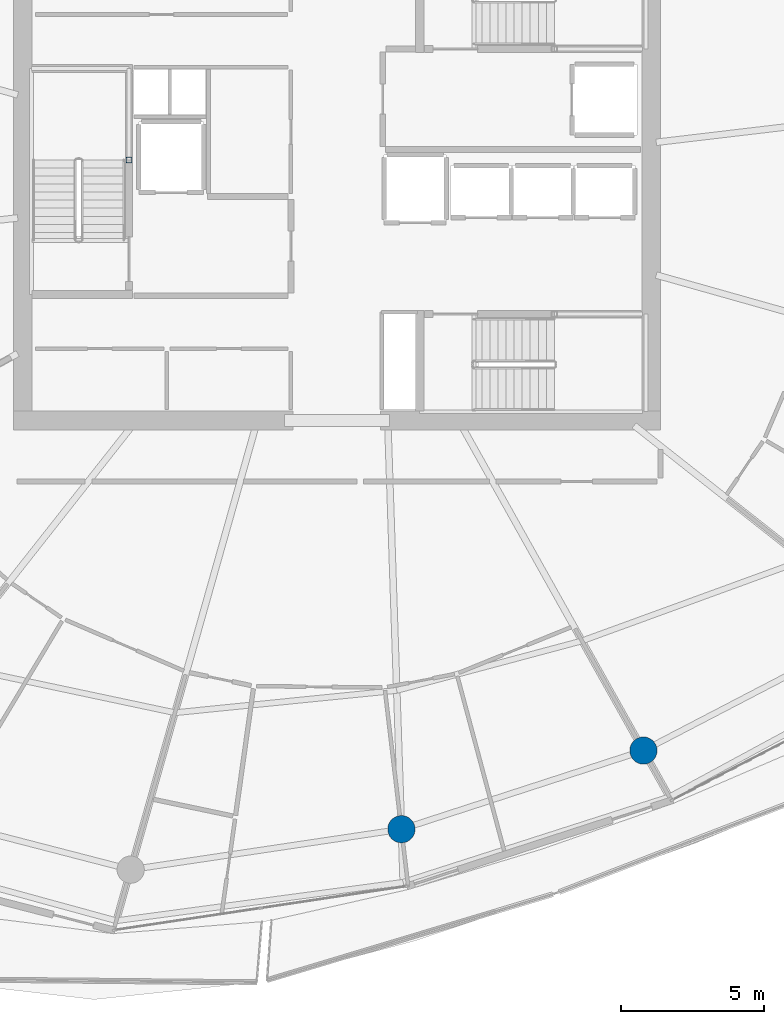
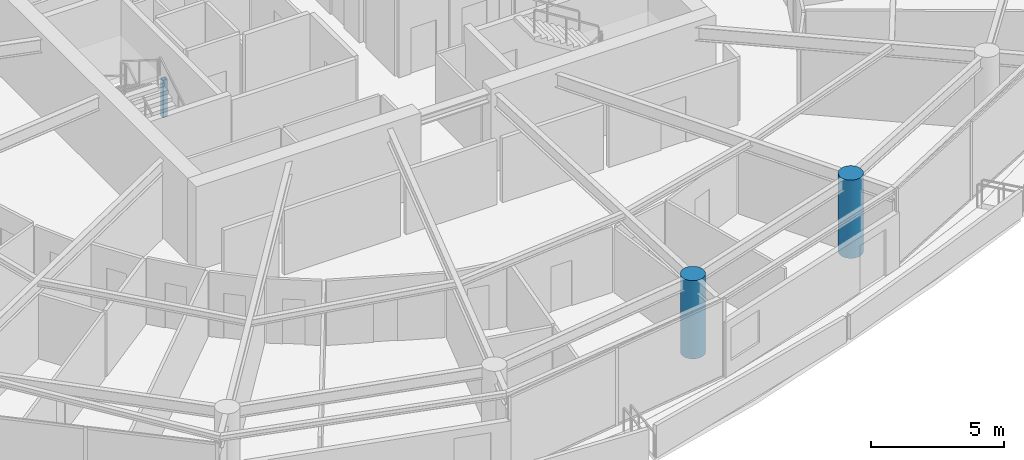
# One storey, part 2 of 30: 3 columns.
"""IFC4 building model written with IfcOpenShell, lengths in metres."""

from ifc_helpers import new_model, si_unit, direction, frame, origin, origin_2d, place, context, subcontext, project, spatial, hollow_rectangle, circle, extrude, material, material_profile, profile_set, type_object, element, save


model = new_model("IFC4")

# Units and contexts
model_context = context("Model", 3, precision=1e-05, world=origin(), true_north=direction((0.0, 1.0)))
body_context = subcontext(model_context, "Body", "Model", "MODEL_VIEW")
ifc_project = project(units=[si_unit("LENGTHUNIT", "METRE"), si_unit("AREAUNIT", "SQUARE_METRE"), si_unit("VOLUMEUNIT", "CUBIC_METRE"), si_unit("PLANEANGLEUNIT", "RADIAN"), si_unit("MASSUNIT", "GRAM", prefix="KILO")], contexts=[model_context])

# Site, building, storey
site_placement = place(None, origin())
site = spatial("IfcSite", under=ifc_project, at=site_placement, CompositionType="ELEMENT")
building_placement = place(site_placement, origin())
building = spatial("IfcBuilding", under=site, at=building_placement, Name="Kazma Halo Residences", CompositionType="ELEMENT")
storey_placement = place(building_placement, frame((0.0, 0.0, 244.39990234375)))
storey = spatial("IfcBuildingStorey", under=building, at=storey_placement, Name="L61", CompositionType="ELEMENT", Elevation=244.39990234375)

# Columns
ifc_material_1 = material(Name="Steel S355", Category="steel")
ifc_material_profile_1 = material_profile(ifc_material_1, hollow_rectangle(XDim=0.199951171875, YDim=0.199951171875, WallThickness=0.010009765625, InnerFilletRadius=0.010009765625, OuterFilletRadius=0.02001953125, at=origin_2d()), Name="SHS200x200x10")
ifc_profile_set_1 = profile_set([ifc_material_profile_1], Name="Steel S355")
column_type_1 = type_object("IfcColumnType", Name="COL-LP-SHS200", PredefinedType="COLUMN", material=ifc_profile_set_1)
column_placement = place(storey_placement, frame((41.179931640625, 42.75, 0.0), z_axis=(0.0, 0.0, 1.0), x_axis=(1.0, 0.0, 0.0)))
element("IfcColumn", 1, at=column_placement, inside=storey, type_object=column_type_1, Name="L61 ST-01 landing pilaster 1", PredefinedType="COLUMN", context=body_context, shape_type="SweptSolid", body=[
    extrude(hollow_rectangle(XDim=0.199951171875, YDim=0.199951171875, WallThickness=0.010009765625, InnerFilletRadius=0.010009765625, OuterFilletRadius=0.02001953125, at=origin_2d()), origin(), (0.0, 0.0, 1.0), 1.72021484375),
])
ifc_material_2 = material(Name="Concrete C60/75", Category="concrete")
ifc_material_profile_2 = material_profile(ifc_material_2, circle(Radius=0.47509765625, at=origin_2d()), Name="CIRC950")
ifc_profile_set_2 = profile_set([ifc_material_profile_2], Name="Concrete C60/75")
column_type_2 = type_object("IfcColumnType", Name="COL-PERIM-950", PredefinedType="COLUMN", material=ifc_profile_set_2)
for number, where, z_axis, x_axis, name in (
    (2, (50.67138671875, 19.42919921875, 0.0), (0.0, 0.0, 1.0), (1.0, 0.0, 0.0), "L61 perimeter ring column P12"),
    (3, (59.10546875, 22.169677734375, 0.0), (0.0, 0.0, 1.0), (1.0, 0.0, 0.0), "L61 perimeter ring column P13"),
):
    element("IfcColumn", number, at=place(storey_placement, frame(where, z_axis=z_axis, x_axis=x_axis)), inside=storey, type_object=column_type_2, Name=name, PredefinedType="COLUMN", context=body_context, shape_type="SweptSolid", body=[
        extrude(circle(Radius=0.47509765625, at=origin_2d()), origin(), (0.0, 0.0, 1.0), 3.590087890625),
    ])

save(model, "model.ifc")
